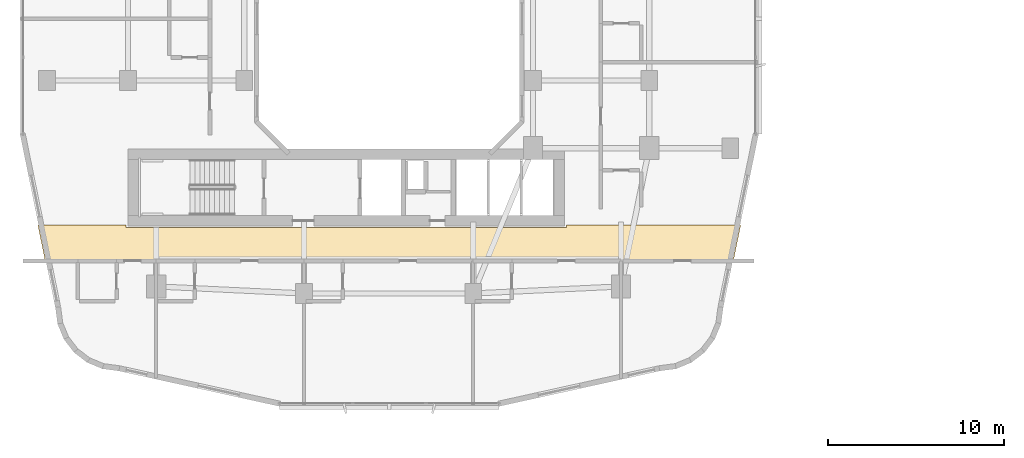
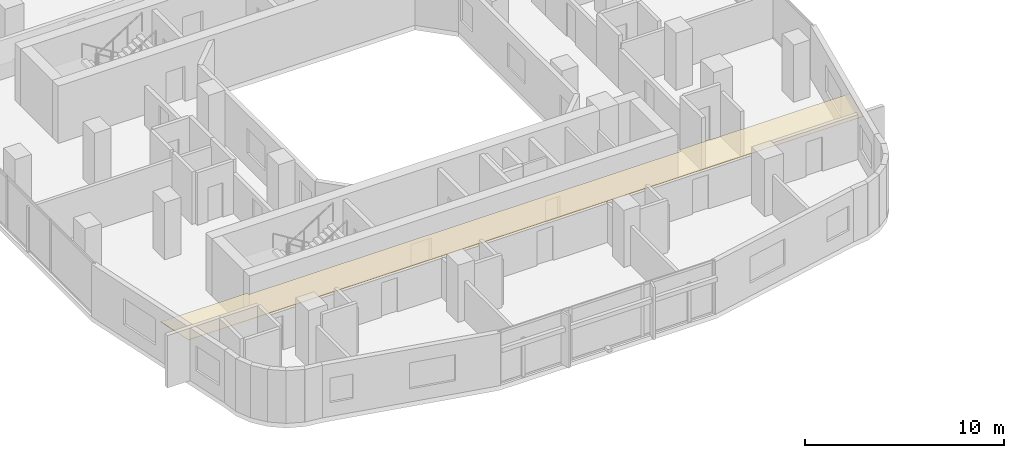
# One storey, part 24 of 27: 1 covering.
"""IFC4 building model written with IfcOpenShell, lengths in metres."""

from ifc_helpers import new_model, si_unit, derived_unit, direction, frame, origin, place, context, subcontext, project, spatial, polyline, outline, extrude, material, layer, layer_set, type_object, element, save


model = new_model("IFC4")

# Units and contexts
model_context = context("Model", 3, precision=1e-05, world=origin(), true_north=direction((0.0, 1.0)))
body_context = subcontext(model_context, "Body", "Model", "MODEL_VIEW")
ifc_project = project(units=[si_unit("LENGTHUNIT", "METRE"), si_unit("AREAUNIT", "SQUARE_METRE"), si_unit("VOLUMEUNIT", "CUBIC_METRE"), si_unit("PLANEANGLEUNIT", "RADIAN"), si_unit("MASSUNIT", "GRAM", prefix="KILO"), derived_unit("THERMALTRANSMITTANCEUNIT", [(si_unit("POWERUNIT", "WATT"), 1), (si_unit("LENGTHUNIT", "METRE"), -2), (si_unit("THERMODYNAMICTEMPERATUREUNIT", "KELVIN"), -1)])], contexts=[model_context])

# Site, building, storey
site_placement = place(None, origin())
site = spatial("IfcSite", under=ifc_project, at=site_placement, CompositionType="ELEMENT")
building_placement = place(site_placement, origin())
building = spatial("IfcBuilding", under=site, at=building_placement, Name="Kivonza Crest Hotel", CompositionType="ELEMENT")
storey_placement = place(building_placement, frame((0.0, 0.0, 34.5)))
storey = spatial("IfcBuildingStorey", under=building, at=storey_placement, Name="L08", CompositionType="ELEMENT", Elevation=34.5)

# Covering
ifc_material = material(Name="Mineral-fibre acoustic ceiling tile", Category="gypsum")
ifc_layer = layer(ifc_material, 0.02490234375)
ifc_layer_set = layer_set([ifc_layer], Name="Mineral-fibre acoustic ceiling tile")
covering_type = type_object("IfcCoveringType", Name="CV-CEIL-ACOU", PredefinedType="CEILING", material=ifc_layer_set)
covering_placement = place(storey_placement, frame((0.0, 0.0, 2.449951171875)))
element("IfcCovering", 1, at=covering_placement, inside=storey, type_object=covering_type, Name="L08 Hotel South Guest Corridor suspended ceiling", PredefinedType="CEILING", context=body_context, shape_type="SweptSolid", body=[
    extrude(outline(polyline([(31.10009765625, 13.2900390625), (31.10009765625, 13.139892578125), (6.10009765625, 13.139892578125), (6.10009765625, 13.280029296875), (1.083984375, 13.280029296875), (1.506103515625, 11.2099609375), (40.573974609375, 11.2099609375), (40.99609375, 13.280029296875), (33.090087890625, 13.280029296875), (33.090087890625, 13.2900390625), (31.10009765625, 13.2900390625)])), origin(), (0.0, 0.0, 1.0), 0.025146484375),
])

save(model, "model.ifc")
